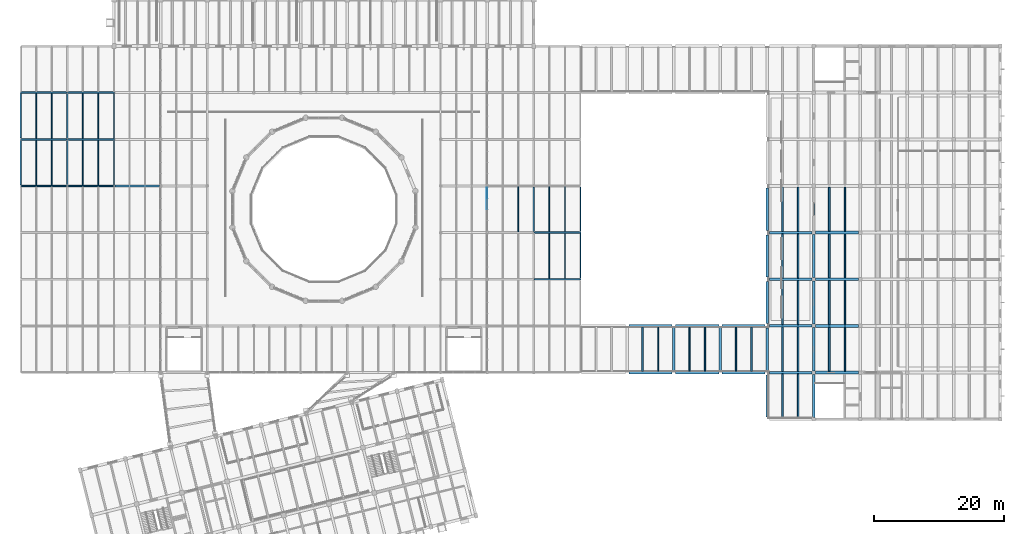
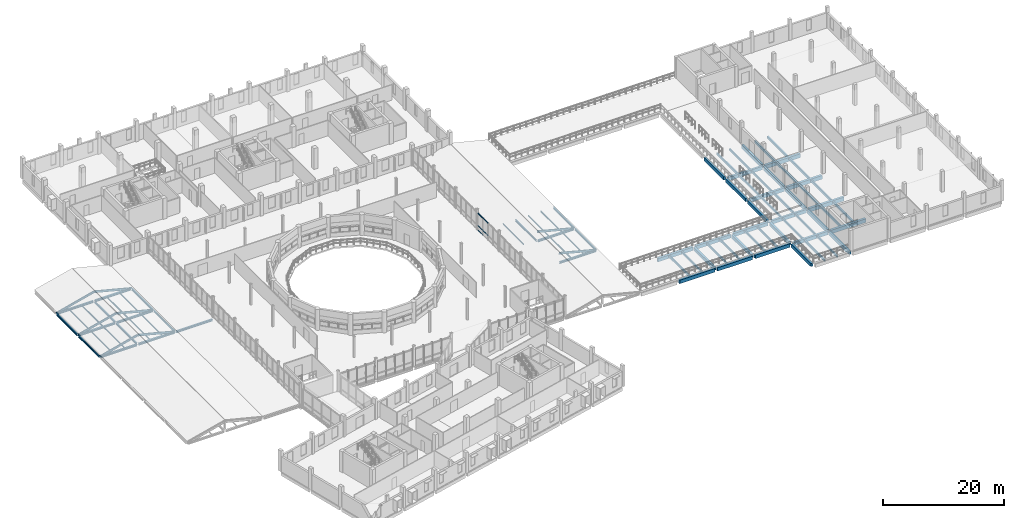
# One storey, part 27 of 63: 81 beams, 13 members, 1 element without a shape of its own.
"""IFC4 building model written with IfcOpenShell, lengths in metres."""

from ifc_helpers import new_model, si_unit, direction, frame, origin, origin_2d, place, context, subcontext, project, spatial, rectangle, i_section, extrude, material, material_profile, profile_set, type_object, element, aggregate, save


model = new_model("IFC4")

# Units and contexts
model_context = context("Model", 3, precision=1e-05, world=origin(), true_north=direction((0.0, 1.0)))
body_context = subcontext(model_context, "Body", "Model", "MODEL_VIEW")
ifc_project = project(units=[si_unit("LENGTHUNIT", "METRE"), si_unit("AREAUNIT", "SQUARE_METRE"), si_unit("VOLUMEUNIT", "CUBIC_METRE"), si_unit("PLANEANGLEUNIT", "RADIAN"), si_unit("MASSUNIT", "GRAM", prefix="KILO")], contexts=[model_context])

# Site, building, storey
site_placement = place(None, origin())
site = spatial("IfcSite", under=ifc_project, at=site_placement, CompositionType="ELEMENT")
building_placement = place(site_placement, origin())
building = spatial("IfcBuilding", under=site, at=building_placement, Name="Qiaolan Assembly House", CompositionType="ELEMENT")
storey_placement = place(building_placement, frame((0.0, 0.0, 14.39990234375)))
storey = spatial("IfcBuildingStorey", under=building, at=storey_placement, Name="L03", CompositionType="ELEMENT", Elevation=14.39990234375)

# Beams
ifc_material_1 = material(Name="Concrete C40/50", Category="concrete")
ifc_material_profile_1 = material_profile(ifc_material_1, rectangle(XDim=0.39990234375, YDim=0.64990234375, at=origin_2d()), Name="RCB 400x650")
ifc_profile_set_1 = profile_set([ifc_material_profile_1], Name="Concrete C40/50")
beam_type_1 = type_object("IfcBeamType", Name="BM-RC-400x650", PredefinedType="BEAM", material=ifc_profile_set_1)
for number, where, z_axis, x_axis, name in (
    (1, (136.800048828125, 29.139892578125, -0.635009765625), (0.0, 1.0, 0.0), (-1.0, 0.0, 0.0), "GB-06 beam BMY-LBRG-L03-00-00"),
    (2, (136.800048828125, 36.340087890625, -0.635009765625), (0.0, 1.0, 0.0), (-1.0, 0.0, 0.0), "GB-06 beam BMY-LBRG-L03-00-01"),
    (3, (136.800048828125, 43.5400390625, -0.635009765625), (0.0, 1.0, 0.0), (-1.0, 0.0, 0.0), "GB-06 beam BMY-LBRG-L03-00-02"),
    (4, (136.800048828125, 50.739990234375, -0.635009765625), (0.0, 1.0, 0.0), (-1.0, 0.0, 0.0), "GB-06 beam BMY-LBRG-L03-00-03"),
    (5, (136.800048828125, 57.93994140625, -0.635009765625), (0.0, 1.0, 0.0), (-1.0, 0.0, 0.0), "GB-06 beam BMY-LBRG-L03-00-04"),
):
    element("IfcBeam", number, at=place(storey_placement, frame(where, z_axis=z_axis, x_axis=x_axis)), inside=storey, type_object=beam_type_1, Name=name, PredefinedType="BEAM", context=body_context, shape_type="SweptSolid", body=[
        extrude(rectangle(XDim=0.39990234375, YDim=0.64990234375, at=origin_2d()), origin(), (0.0, 0.0, 1.0), 6.52001953125),
    ])
for number, where, z_axis, x_axis, name in (
    (6, (122.39990234375, 36.25, -0.635009765625), (0.0, 1.0, 0.0), (-1.0, 0.0, 0.0), "GB-06 beam BMY-CLSR-L03-02-00"),
    (7, (129.60009765625, 36.25, -0.635009765625), (0.0, 1.0, 0.0), (-1.0, 0.0, 0.0), "GB-06 beam BMY-CLSR-L03-03-00"),
):
    element("IfcBeam", number, at=place(storey_placement, frame(where, z_axis=z_axis, x_axis=x_axis)), inside=storey, type_object=beam_type_1, Name=name, PredefinedType="BEAM", context=body_context, shape_type="SweptSolid", body=[
        extrude(rectangle(XDim=0.39990234375, YDim=0.64990234375, at=origin_2d()), origin(), (0.0, 0.0, 1.0), 6.699951171875),
    ])
ifc_material_profile_2 = material_profile(ifc_material_1, rectangle(XDim=0.39990234375, YDim=0.699951171875, at=origin_2d()), Name="RCB 400x700")
ifc_profile_set_2 = profile_set([ifc_material_profile_2], Name="Concrete C40/50")
beam_type_2 = type_object("IfcBeamType", Name="BM-RC-400x700", PredefinedType="BEAM", material=ifc_profile_set_2)
for number, where, z_axis, x_axis, name in (
    (8, (144.0, 29.06494140625, -0.659912109375), (0.0, 1.0, 0.0), (-1.0, 0.0, 0.0), "GB-05 beam BMY-LB-L03-00-00"),
    (9, (144.0, 36.264892578125, -0.659912109375), (0.0, 1.0, 0.0), (-1.0, 0.0, 0.0), "GB-05 beam BMY-LB-L03-00-01"),
):
    element("IfcBeam", number, at=place(storey_placement, frame(where, z_axis=z_axis, x_axis=x_axis)), inside=storey, type_object=beam_type_2, Name=name, PredefinedType="BEAM", context=body_context, shape_type="SweptSolid", body=[
        extrude(rectangle(XDim=0.39990234375, YDim=0.699951171875, at=origin_2d()), origin(), (0.0, 0.0, 1.0), 6.670166015625),
    ])
for number, where, z_axis, x_axis, name in (
    (10, (144.0, 43.465087890625, -0.659912109375), (0.0, 1.0, 0.0), (-1.0, 0.0, 0.0), "GB-05 beam BMY-LB-L03-00-02"),
    (11, (144.0, 50.6650390625, -0.659912109375), (0.0, 1.0, 0.0), (-1.0, 0.0, 0.0), "GB-05 beam BMY-LB-L03-00-03"),
    (12, (144.0, 57.864990234375, -0.659912109375), (0.0, 1.0, 0.0), (-1.0, 0.0, 0.0), "GB-05 beam BMY-LB-L03-00-04"),
):
    element("IfcBeam", number, at=place(storey_placement, frame(where, z_axis=z_axis, x_axis=x_axis)), inside=storey, type_object=beam_type_2, Name=name, PredefinedType="BEAM", context=body_context, shape_type="SweptSolid", body=[
        extrude(rectangle(XDim=0.39990234375, YDim=0.699951171875, at=origin_2d()), origin(), (0.0, 0.0, 1.0), 6.669921875),
    ])
for number, where, z_axis, x_axis, name in (
    (13, (137.139892578125, 36.0, -0.659912109375), (1.0, 0.0, 0.0), (0.0, 1.0, 0.0), "GB-05 beam BMX-LBRG-L03-00-01"),
    (14, (137.139892578125, 43.199951171875, -0.659912109375), (1.0, 0.0, 0.0), (0.0, 1.0, 0.0), "GB-05 beam BMX-LBRG-L03-00-02"),
    (15, (137.139892578125, 50.39990234375, -0.659912109375), (1.0, 0.0, 0.0), (0.0, 1.0, 0.0), "GB-05 beam BMX-LBRG-L03-00-03"),
    (16, (137.139892578125, 57.60009765625, -0.659912109375), (1.0, 0.0, 0.0), (0.0, 1.0, 0.0), "GB-05 beam BMX-LBRG-L03-00-04"),
):
    element("IfcBeam", number, at=place(storey_placement, frame(where, z_axis=z_axis, x_axis=x_axis)), inside=storey, type_object=beam_type_2, Name=name, PredefinedType="BEAM", context=body_context, shape_type="SweptSolid", body=[
        extrude(rectangle(XDim=0.39990234375, YDim=0.699951171875, at=origin_2d()), origin(), (0.0, 0.0, 1.0), 6.59521484375),
    ])
beam_1_placement = place(storey_placement, frame((115.449951171875, 36.0, -0.659912109375), z_axis=(1.0, 0.0, 0.0), x_axis=(0.0, 1.0, 0.0)))
element("IfcBeam", 17, at=beam_1_placement, inside=storey, type_object=beam_type_2, Name="GB-05 beam BMX-CLSR-L03-01-00", PredefinedType="BEAM", context=body_context, shape_type="SweptSolid", body=[
    extrude(rectangle(XDim=0.39990234375, YDim=0.699951171875, at=origin_2d()), origin(), (0.0, 0.0, 1.0), 6.699951171875),
])
beam_2_placement = place(storey_placement, frame((122.64990234375, 36.0, -0.659912109375), z_axis=(1.0, 0.0, 0.0), x_axis=(0.0, 1.0, 0.0)))
element("IfcBeam", 18, at=beam_2_placement, inside=storey, type_object=beam_type_2, Name="GB-05 beam BMX-CLSR-L03-02-00", PredefinedType="BEAM", context=body_context, shape_type="SweptSolid", body=[
    extrude(rectangle(XDim=0.39990234375, YDim=0.699951171875, at=origin_2d()), origin(), (0.0, 0.0, 1.0), 6.7001953125),
])
beam_3_placement = place(storey_placement, frame((129.85009765625, 36.0, -0.659912109375), z_axis=(1.0, 0.0, 0.0), x_axis=(0.0, 1.0, 0.0)))
element("IfcBeam", 19, at=beam_3_placement, inside=storey, type_object=beam_type_2, Name="GB-05 beam BMX-CLSR-L03-03-00", PredefinedType="BEAM", context=body_context, shape_type="SweptSolid", body=[
    extrude(rectangle(XDim=0.39990234375, YDim=0.699951171875, at=origin_2d()), origin(), (0.0, 0.0, 1.0), 6.60986328125),
])
beam_4_placement = place(storey_placement, frame((115.449951171875, 43.199951171875, -0.659912109375), z_axis=(1.0, 0.0, 0.0), x_axis=(0.0, 1.0, 0.0)))
element("IfcBeam", 20, at=beam_4_placement, inside=storey, type_object=beam_type_2, Name="GB-05 beam BMX-CLSR-L03-01-01", PredefinedType="BEAM", context=body_context, shape_type="SweptSolid", body=[
    extrude(rectangle(XDim=0.39990234375, YDim=0.699951171875, at=origin_2d()), origin(), (0.0, 0.0, 1.0), 6.699951171875),
])
beam_5_placement = place(storey_placement, frame((122.64990234375, 43.199951171875, -0.659912109375), z_axis=(1.0, 0.0, 0.0), x_axis=(0.0, 1.0, 0.0)))
element("IfcBeam", 21, at=beam_5_placement, inside=storey, type_object=beam_type_2, Name="GB-05 beam BMX-CLSR-L03-02-01", PredefinedType="BEAM", context=body_context, shape_type="SweptSolid", body=[
    extrude(rectangle(XDim=0.39990234375, YDim=0.699951171875, at=origin_2d()), origin(), (0.0, 0.0, 1.0), 6.7001953125),
])
beam_6_placement = place(storey_placement, frame((129.85009765625, 43.199951171875, -0.659912109375), z_axis=(1.0, 0.0, 0.0), x_axis=(0.0, 1.0, 0.0)))
element("IfcBeam", 22, at=beam_6_placement, inside=storey, type_object=beam_type_2, Name="GB-05 beam BMX-CLSR-L03-03-01", PredefinedType="BEAM", context=body_context, shape_type="SweptSolid", body=[
    extrude(rectangle(XDim=0.39990234375, YDim=0.699951171875, at=origin_2d()), origin(), (0.0, 0.0, 1.0), 6.60986328125),
])
ifc_material_profile_3 = material_profile(ifc_material_1, rectangle(XDim=0.449951171875, YDim=0.75, at=origin_2d()), Name="RCB 450x750")
ifc_profile_set_3 = profile_set([ifc_material_profile_3], Name="Concrete C40/50")
beam_type_3 = type_object("IfcBeamType", Name="BM-RC-450x750", PredefinedType="BEAM", material=ifc_profile_set_3)
for number, where, z_axis, x_axis, name in (
    (23, (144.264892578125, 36.0, -0.684814453125), (1.0, 0.0, 0.0), (0.0, 1.0, 0.0), "GB-04 beam BMX-LB-L03-00-01"),
    (24, (144.264892578125, 43.199951171875, -0.684814453125), (1.0, 0.0, 0.0), (0.0, 1.0, 0.0), "GB-04 beam BMX-LB-L03-00-02"),
    (25, (144.264892578125, 50.39990234375, -0.684814453125), (1.0, 0.0, 0.0), (0.0, 1.0, 0.0), "GB-04 beam BMX-LB-L03-00-03"),
    (26, (144.264892578125, 57.60009765625, -0.684814453125), (1.0, 0.0, 0.0), (0.0, 1.0, 0.0), "GB-04 beam BMX-LB-L03-00-04"),
):
    element("IfcBeam", number, at=place(storey_placement, frame(where, z_axis=z_axis, x_axis=x_axis)), inside=storey, type_object=beam_type_3, Name=name, PredefinedType="BEAM", context=body_context, shape_type="SweptSolid", body=[
        extrude(rectangle(XDim=0.449951171875, YDim=0.75, at=origin_2d()), origin(), (0.0, 0.0, 1.0), 6.670166015625),
    ])
ifc_material_2 = material(Name="Steel Q355B", Category="steel")
ifc_material_profile_4 = material_profile(ifc_material_2, i_section(OverallWidth=0.300048828125, OverallDepth=0.389892578125, WebThickness=0.010009765625, FlangeThickness=0.01611328125, FilletRadius=0.01806640625, at=origin_2d()), Name="HM 390x300x10x16")
ifc_profile_set_4 = profile_set([ifc_material_profile_4], Name="Steel Q355B")
beam_type_4 = type_object("IfcBeamType", Name="BM-STL-HM390", PredefinedType="BEAM", material=ifc_profile_set_4)
beam_7_placement = place(storey_placement, frame((21.764892578125, 64.800048828125, -0.494873046875), z_axis=(1.0, 0.0, 0.0), x_axis=(0.0, 1.0, 0.0)))
element("IfcBeam", 27, at=beam_7_placement, inside=storey, type_object=beam_type_4, Name="SB-08 beam BMX-HLWTR-L03-00-04", PredefinedType="BEAM", context=body_context, shape_type="SweptSolid", body=[
    extrude(i_section(OverallWidth=0.300048828125, OverallDepth=0.389892578125, WebThickness=0.010009765625, FlangeThickness=0.01611328125, FilletRadius=0.01806640625, at=origin_2d()), origin(), (0.0, 0.0, 1.0), 6.89501953125),
])
for number, where, z_axis, x_axis, name in (
    (28, (28.93994140625, 64.800048828125, -0.494873046875), (1.0, 0.0, 0.0), (0.0, 1.0, 0.0), "SB-08 beam BMX-HLWTR-L03-01-04"),
    (29, (36.139892578125, 64.800048828125, -0.494873046875), (1.0, 0.0, 0.0), (0.0, 1.0, 0.0), "SB-08 beam BMX-HLWTR-L03-02-04"),
):
    element("IfcBeam", number, at=place(storey_placement, frame(where, z_axis=z_axis, x_axis=x_axis)), inside=storey, type_object=beam_type_4, Name=name, PredefinedType="BEAM", context=body_context, shape_type="SweptSolid", body=[
        extrude(i_section(OverallWidth=0.300048828125, OverallDepth=0.389892578125, WebThickness=0.010009765625, FlangeThickness=0.01611328125, FilletRadius=0.01806640625, at=origin_2d()), origin(), (0.0, 0.0, 1.0), 6.920166015625),
    ])
beam_8_placement = place(storey_placement, frame((21.764892578125, 72.0, -0.494873046875), z_axis=(1.0, 0.0, 0.0), x_axis=(0.0, 1.0, 0.0)))
element("IfcBeam", 30, at=beam_8_placement, inside=storey, type_object=beam_type_4, Name="SB-08 beam BMX-HLWTR-L03-00-05", PredefinedType="BEAM", context=body_context, shape_type="SweptSolid", body=[
    extrude(i_section(OverallWidth=0.300048828125, OverallDepth=0.389892578125, WebThickness=0.010009765625, FlangeThickness=0.01611328125, FilletRadius=0.01806640625, at=origin_2d()), origin(), (0.0, 0.0, 1.0), 6.89501953125),
])
beam_9_placement = place(storey_placement, frame((28.93994140625, 72.0, -0.494873046875), z_axis=(1.0, 0.0, 0.0), x_axis=(0.0, 1.0, 0.0)))
element("IfcBeam", 31, at=beam_9_placement, inside=storey, type_object=beam_type_4, Name="SB-08 beam BMX-HLWTR-L03-01-05", PredefinedType="BEAM", context=body_context, shape_type="SweptSolid", body=[
    extrude(i_section(OverallWidth=0.300048828125, OverallDepth=0.389892578125, WebThickness=0.010009765625, FlangeThickness=0.01611328125, FilletRadius=0.01806640625, at=origin_2d()), origin(), (0.0, 0.0, 1.0), 6.920166015625),
])
beam_10_placement = place(storey_placement, frame((21.764892578125, 79.199951171875, -0.494873046875), z_axis=(1.0, 0.0, 0.0), x_axis=(0.0, 1.0, 0.0)))
element("IfcBeam", 32, at=beam_10_placement, inside=storey, type_object=beam_type_4, Name="SB-08 beam BMX-HLWTR-L03-00-06", PredefinedType="BEAM", context=body_context, shape_type="SweptSolid", body=[
    extrude(i_section(OverallWidth=0.300048828125, OverallDepth=0.389892578125, WebThickness=0.010009765625, FlangeThickness=0.01611328125, FilletRadius=0.01806640625, at=origin_2d()), origin(), (0.0, 0.0, 1.0), 6.89501953125),
])
beam_11_placement = place(storey_placement, frame((28.93994140625, 79.199951171875, -0.494873046875), z_axis=(1.0, 0.0, 0.0), x_axis=(0.0, 1.0, 0.0)))
element("IfcBeam", 33, at=beam_11_placement, inside=storey, type_object=beam_type_4, Name="SB-08 beam BMX-HLWTR-L03-01-06", PredefinedType="BEAM", context=body_context, shape_type="SweptSolid", body=[
    extrude(i_section(OverallWidth=0.300048828125, OverallDepth=0.389892578125, WebThickness=0.010009765625, FlangeThickness=0.01611328125, FilletRadius=0.01806640625, at=origin_2d()), origin(), (0.0, 0.0, 1.0), 6.920166015625),
])
for number, where, z_axis, x_axis, name in (
    (34, (100.93994140625, 50.39990234375, -0.5048828125), (1.0, 0.0, 0.0), (0.0, 1.0, 0.0), "SB-08 beam BMX-HLETR-L03-01-02"),
    (35, (100.93994140625, 57.60009765625, -0.5048828125), (1.0, 0.0, 0.0), (0.0, 1.0, 0.0), "SB-08 beam BMX-HLETR-L03-01-03"),
):
    element("IfcBeam", number, at=place(storey_placement, frame(where, z_axis=z_axis, x_axis=x_axis)), inside=storey, type_object=beam_type_4, Name=name, PredefinedType="BEAM", context=body_context, shape_type="SweptSolid", body=[
        extrude(i_section(OverallWidth=0.300048828125, OverallDepth=0.389892578125, WebThickness=0.010009765625, FlangeThickness=0.01611328125, FilletRadius=0.01806640625, at=origin_2d()), origin(), (0.0, 0.0, 1.0), 6.89501953125),
    ])
ifc_material_profile_5 = material_profile(ifc_material_2, i_section(OverallWidth=0.199951171875, OverallDepth=0.39990234375, WebThickness=0.008056640625, FlangeThickness=0.012939453125, FilletRadius=0.01611328125, at=origin_2d()), Name="HN 400x200x8x13")
ifc_profile_set_5 = profile_set([ifc_material_profile_5], Name="Steel Q355B")
beam_type_5 = type_object("IfcBeamType", Name="BM-STL-HN400", PredefinedType="BEAM", material=ifc_profile_set_5)
for number, where, z_axis, x_axis, name in (
    (36, (21.60009765625, 64.965087890625, -0.5), (0.0, 1.0, 0.0), (-1.0, 0.0, 0.0), "SB-09 beam BMY-HLWTR-L03-00-04"),
    (37, (21.60009765625, 72.1650390625, -0.5), (0.0, 1.0, 0.0), (-1.0, 0.0, 0.0), "SB-09 beam BMY-HLWTR-L03-00-05"),
):
    element("IfcBeam", number, at=place(storey_placement, frame(where, z_axis=z_axis, x_axis=x_axis)), inside=storey, type_object=beam_type_5, Name=name, PredefinedType="BEAM", context=body_context, shape_type="SweptSolid", body=[
        extrude(i_section(OverallWidth=0.199951171875, OverallDepth=0.39990234375, WebThickness=0.008056640625, FlangeThickness=0.012939453125, FilletRadius=0.01611328125, at=origin_2d()), origin(), (0.0, 0.0, 1.0), 6.869873046875),
    ])
for number, where, z_axis, x_axis, name in (
    (38, (28.800048828125, 64.93994140625, -0.5), (0.0, 1.0, 0.0), (-1.0, 0.0, 0.0), "SB-09 beam BMY-HLWTR-L03-01-04"),
    (39, (28.800048828125, 72.139892578125, -0.5), (0.0, 1.0, 0.0), (-1.0, 0.0, 0.0), "SB-09 beam BMY-HLWTR-L03-01-05"),
    (40, (36.0, 64.93994140625, -0.5), (0.0, 1.0, 0.0), (-1.0, 0.0, 0.0), "SB-09 beam BMY-HLWTR-L03-02-04"),
    (41, (36.0, 72.139892578125, -0.5), (0.0, 1.0, 0.0), (-1.0, 0.0, 0.0), "SB-09 beam BMY-HLWTR-L03-02-05"),
):
    element("IfcBeam", number, at=place(storey_placement, frame(where, z_axis=z_axis, x_axis=x_axis)), inside=storey, type_object=beam_type_5, Name=name, PredefinedType="BEAM", context=body_context, shape_type="SweptSolid", body=[
        extrude(i_section(OverallWidth=0.199951171875, OverallDepth=0.39990234375, WebThickness=0.008056640625, FlangeThickness=0.012939453125, FilletRadius=0.01611328125, at=origin_2d()), origin(), (0.0, 0.0, 1.0), 6.920166015625),
    ])
beam_12_placement = place(storey_placement, frame((100.800048828125, 57.739990234375, -0.510009765625), z_axis=(0.0, 1.0, 0.0), x_axis=(-1.0, 0.0, 0.0)))
element("IfcBeam", 42, at=beam_12_placement, inside=storey, type_object=beam_type_5, Name="SB-09 beam BMY-HLETR-L03-01-03", PredefinedType="BEAM", context=body_context, shape_type="SweptSolid", body=[
    extrude(i_section(OverallWidth=0.199951171875, OverallDepth=0.39990234375, WebThickness=0.008056640625, FlangeThickness=0.012939453125, FilletRadius=0.01611328125, at=origin_2d()), origin(), (0.0, 0.0, 1.0), 6.919921875),
])
for number, where, z_axis, x_axis, name in (
    (43, (108.0, 50.56494140625, -0.510009765625), (0.0, 1.0, 0.0), (-1.0, 0.0, 0.0), "SB-09 beam BMY-HLETR-L03-02-02"),
    (44, (108.0, 57.764892578125, -0.510009765625), (0.0, 1.0, 0.0), (-1.0, 0.0, 0.0), "SB-09 beam BMY-HLETR-L03-02-03"),
):
    element("IfcBeam", number, at=place(storey_placement, frame(where, z_axis=z_axis, x_axis=x_axis)), inside=storey, type_object=beam_type_5, Name=name, PredefinedType="BEAM", context=body_context, shape_type="SweptSolid", body=[
        extrude(i_section(OverallWidth=0.199951171875, OverallDepth=0.39990234375, WebThickness=0.008056640625, FlangeThickness=0.012939453125, FilletRadius=0.01611328125, at=origin_2d()), origin(), (0.0, 0.0, 1.0), 6.8701171875),
    ])

# Curtain wall, members
ifc_material_3 = material(Name="Anodised bronze aluminium", Category="aluminium")
curtain_wall_type = type_object("IfcCurtainWallType", Name="CW-HALL-CONC-420", PredefinedType="NOTDEFINED", material=ifc_material_3)
curtain_wall_placement = place(storey_placement, origin())
curtain_wall = element("IfcCurtainWall", 45, at=curtain_wall_placement, inside=storey, type_object=curtain_wall_type, Name="CW-07 L03 Concourse East CW 4", PredefinedType="NOTDEFINED")
ifc_material_profile_6 = material_profile(ifc_material_3, rectangle(XDim=0.072021484375, YDim=0.14501953125, at=origin_2d()), Name="TRN 72x145")
ifc_profile_set_6 = profile_set([ifc_material_profile_6], Name="Anodised bronze aluminium")
member_type_1 = type_object("IfcMemberType", Name="CW-HALL-CONC-420-TRN", PredefinedType="USERDEFINED", material=ifc_profile_set_6)
member_1_placement = place(storey_placement, frame((93.60009765625, 64.549072265625, 0.030029296875), z_axis=(0.0, -1.0, 0.0), x_axis=(1.0, 0.0, 0.0)))
member_1 = element("IfcMember", 46, at=member_1_placement, type_object=member_type_1, Name="TR-03 transom CW-HLC-E-03-1-1", ObjectType="TRANSOM", PredefinedType="USERDEFINED", context=body_context, shape_type="SweptSolid", body=[
    extrude(rectangle(XDim=0.072021484375, YDim=0.14501953125, at=origin_2d()), origin(), (0.0, 0.0, 1.0), 1.613037109375),
])
member_2_placement = place(storey_placement, frame((93.60009765625, 64.549072265625, 0.9501953125), z_axis=(0.0, -1.0, 0.0), x_axis=(1.0, 0.0, 0.0)))
member_2 = element("IfcMember", 47, at=member_2_placement, type_object=member_type_1, Name="TR-03 transom CW-HLC-E-03-1-2", ObjectType="TRANSOM", PredefinedType="USERDEFINED", context=body_context, shape_type="SweptSolid", body=[
    extrude(rectangle(XDim=0.072021484375, YDim=0.14501953125, at=origin_2d()), origin(), (0.0, 0.0, 1.0), 1.613037109375),
])
member_3_placement = place(storey_placement, frame((93.60009765625, 64.549072265625, 3.420166015625), z_axis=(0.0, -1.0, 0.0), x_axis=(1.0, 0.0, 0.0)))
member_3 = element("IfcMember", 48, at=member_3_placement, type_object=member_type_1, Name="TR-03 transom CW-HLC-E-03-1-3", ObjectType="TRANSOM", PredefinedType="USERDEFINED", context=body_context, shape_type="SweptSolid", body=[
    extrude(rectangle(XDim=0.072021484375, YDim=0.14501953125, at=origin_2d()), origin(), (0.0, 0.0, 1.0), 1.613037109375),
])
member_4_placement = place(storey_placement, frame((93.60009765625, 62.85400390625, 0.9501953125), z_axis=(0.0, -1.0, 0.0), x_axis=(1.0, 0.0, 0.0)))
member_4 = element("IfcMember", 49, at=member_4_placement, type_object=member_type_1, Name="TR-03 transom CW-HLC-E-03-2-2", ObjectType="TRANSOM", PredefinedType="USERDEFINED", context=body_context, shape_type="SweptSolid", body=[
    extrude(rectangle(XDim=0.072021484375, YDim=0.14501953125, at=origin_2d()), origin(), (0.0, 0.0, 1.0), 1.613037109375),
])
member_5_placement = place(storey_placement, frame((93.60009765625, 62.85400390625, 3.420166015625), z_axis=(0.0, -1.0, 0.0), x_axis=(1.0, 0.0, 0.0)))
member_5 = element("IfcMember", 50, at=member_5_placement, type_object=member_type_1, Name="TR-03 transom CW-HLC-E-03-2-3", ObjectType="TRANSOM", PredefinedType="USERDEFINED", context=body_context, shape_type="SweptSolid", body=[
    extrude(rectangle(XDim=0.072021484375, YDim=0.14501953125, at=origin_2d()), origin(), (0.0, 0.0, 1.0), 1.613037109375),
])
aggregate(curtain_wall, [member_1, member_2, member_3, member_4, member_5])

# Beams
ifc_material_profile_7 = material_profile(ifc_material_1, rectangle(XDim=0.219970703125, YDim=0.419921875, at=origin_2d()), Name="RCB 220x420")
ifc_profile_set_7 = profile_set([ifc_material_profile_7], Name="Concrete C40/50")
beam_type_6 = type_object("IfcBeamType", Name="JST-RC-220x420", PredefinedType="JOIST", material=ifc_profile_set_7)
for number, where, z_axis, x_axis, name in (
    (51, (139.199951171875, 28.993896484375, -0.52001953125), (0.0, 1.0, 0.0), (-1.0, 0.0, 0.0), "RJ-03 beam JST-LBRG-L03-00-00-1"),
    (52, (141.60009765625, 28.993896484375, -0.52001953125), (0.0, 1.0, 0.0), (-1.0, 0.0, 0.0), "RJ-03 beam JST-LBRG-L03-00-00-2"),
    (53, (139.199951171875, 36.194091796875, -0.52001953125), (0.0, 1.0, 0.0), (-1.0, 0.0, 0.0), "RJ-03 beam JST-LBRG-L03-00-01-1"),
    (54, (141.60009765625, 36.194091796875, -0.52001953125), (0.0, 1.0, 0.0), (-1.0, 0.0, 0.0), "RJ-03 beam JST-LBRG-L03-00-01-2"),
    (55, (139.199951171875, 43.39404296875, -0.52001953125), (0.0, 1.0, 0.0), (-1.0, 0.0, 0.0), "RJ-03 beam JST-LBRG-L03-00-02-1"),
    (56, (141.60009765625, 43.39404296875, -0.52001953125), (0.0, 1.0, 0.0), (-1.0, 0.0, 0.0), "RJ-03 beam JST-LBRG-L03-00-02-2"),
    (57, (139.199951171875, 50.593994140625, -0.52001953125), (0.0, 1.0, 0.0), (-1.0, 0.0, 0.0), "RJ-03 beam JST-LBRG-L03-00-03-1"),
    (58, (141.60009765625, 50.593994140625, -0.52001953125), (0.0, 1.0, 0.0), (-1.0, 0.0, 0.0), "RJ-03 beam JST-LBRG-L03-00-03-2"),
    (59, (139.199951171875, 57.7939453125, -0.52001953125), (0.0, 1.0, 0.0), (-1.0, 0.0, 0.0), "RJ-03 beam JST-LBRG-L03-00-04-1"),
    (60, (141.60009765625, 57.7939453125, -0.52001953125), (0.0, 1.0, 0.0), (-1.0, 0.0, 0.0), "RJ-03 beam JST-LBRG-L03-00-04-2"),
    (61, (117.60009765625, 36.194091796875, -0.52001953125), (0.0, 1.0, 0.0), (-1.0, 0.0, 0.0), "RJ-03 beam JST-CLSR-L03-01-00-1"),
    (62, (120.0, 36.194091796875, -0.52001953125), (0.0, 1.0, 0.0), (-1.0, 0.0, 0.0), "RJ-03 beam JST-CLSR-L03-01-00-2"),
    (63, (124.800048828125, 36.194091796875, -0.52001953125), (0.0, 1.0, 0.0), (-1.0, 0.0, 0.0), "RJ-03 beam JST-CLSR-L03-02-00-1"),
    (64, (127.199951171875, 36.194091796875, -0.52001953125), (0.0, 1.0, 0.0), (-1.0, 0.0, 0.0), "RJ-03 beam JST-CLSR-L03-02-00-2"),
    (65, (132.0, 36.194091796875, -0.52001953125), (0.0, 1.0, 0.0), (-1.0, 0.0, 0.0), "RJ-03 beam JST-CLSR-L03-03-00-1"),
    (66, (134.39990234375, 36.194091796875, -0.52001953125), (0.0, 1.0, 0.0), (-1.0, 0.0, 0.0), "RJ-03 beam JST-CLSR-L03-03-00-2"),
):
    element("IfcBeam", number, at=place(storey_placement, frame(where, z_axis=z_axis, x_axis=x_axis)), inside=storey, type_object=beam_type_6, Name=name, PredefinedType="JOIST", context=body_context, shape_type="SweptSolid", body=[
        extrude(rectangle(XDim=0.219970703125, YDim=0.419921875, at=origin_2d()), origin(), (0.0, 0.0, 1.0), 6.81201171875),
    ])
ifc_material_profile_8 = material_profile(ifc_material_1, rectangle(XDim=0.25, YDim=0.449951171875, at=origin_2d()), Name="RCB 250x450")
ifc_profile_set_8 = profile_set([ifc_material_profile_8], Name="Concrete C40/50")
beam_type_7 = type_object("IfcBeamType", Name="JST-RC-250x450", PredefinedType="JOIST", material=ifc_profile_set_8)
for number, where, z_axis, x_axis, name in (
    (67, (146.39990234375, 36.218994140625, -0.534912109375), (0.0, 1.0, 0.0), (-1.0, 0.0, 0.0), "RJ-02 beam JST-LB-L03-00-01-1"),
    (68, (148.800048828125, 36.218994140625, -0.534912109375), (0.0, 1.0, 0.0), (-1.0, 0.0, 0.0), "RJ-02 beam JST-LB-L03-00-01-2"),
    (69, (146.39990234375, 43.4189453125, -0.534912109375), (0.0, 1.0, 0.0), (-1.0, 0.0, 0.0), "RJ-02 beam JST-LB-L03-00-02-1"),
    (70, (148.800048828125, 43.4189453125, -0.534912109375), (0.0, 1.0, 0.0), (-1.0, 0.0, 0.0), "RJ-02 beam JST-LB-L03-00-02-2"),
):
    element("IfcBeam", number, at=place(storey_placement, frame(where, z_axis=z_axis, x_axis=x_axis)), inside=storey, type_object=beam_type_7, Name=name, PredefinedType="JOIST", context=body_context, shape_type="SweptSolid", body=[
        extrude(rectangle(XDim=0.25, YDim=0.449951171875, at=origin_2d()), origin(), (0.0, 0.0, 1.0), 6.761962890625),
    ])
for number, where, z_axis, x_axis, name in (
    (71, (146.39990234375, 50.618896484375, -0.534912109375), (0.0, 1.0, 0.0), (-1.0, 0.0, 0.0), "RJ-02 beam JST-LB-L03-00-03-1"),
    (72, (148.800048828125, 50.618896484375, -0.534912109375), (0.0, 1.0, 0.0), (-1.0, 0.0, 0.0), "RJ-02 beam JST-LB-L03-00-03-2"),
):
    element("IfcBeam", number, at=place(storey_placement, frame(where, z_axis=z_axis, x_axis=x_axis)), inside=storey, type_object=beam_type_7, Name=name, PredefinedType="JOIST", context=body_context, shape_type="SweptSolid", body=[
        extrude(rectangle(XDim=0.25, YDim=0.449951171875, at=origin_2d()), origin(), (0.0, 0.0, 1.0), 6.76220703125),
    ])
for number, where, z_axis, x_axis, name in (
    (73, (146.39990234375, 57.819091796875, -0.534912109375), (0.0, 1.0, 0.0), (-1.0, 0.0, 0.0), "RJ-02 beam JST-LB-L03-00-04-1"),
    (74, (148.800048828125, 57.819091796875, -0.534912109375), (0.0, 1.0, 0.0), (-1.0, 0.0, 0.0), "RJ-02 beam JST-LB-L03-00-04-2"),
):
    element("IfcBeam", number, at=place(storey_placement, frame(where, z_axis=z_axis, x_axis=x_axis)), inside=storey, type_object=beam_type_7, Name=name, PredefinedType="JOIST", context=body_context, shape_type="SweptSolid", body=[
        extrude(rectangle(XDim=0.25, YDim=0.449951171875, at=origin_2d()), origin(), (0.0, 0.0, 1.0), 6.761962890625),
    ])
ifc_material_profile_9 = material_profile(ifc_material_2, i_section(OverallWidth=0.125, OverallDepth=0.25, WebThickness=0.006103515625, FlangeThickness=0.009033203125, FilletRadius=0.011962890625, at=origin_2d()), Name="HN 250x125x6x9")
ifc_profile_set_9 = profile_set([ifc_material_profile_9], Name="Steel Q355B")
beam_type_8 = type_object("IfcBeamType", Name="JST-STL-HN250", PredefinedType="JOIST", material=ifc_profile_set_9)
for number, where, z_axis, x_axis, name in (
    (75, (24.0, 64.944091796875, -0.4248046875), (0.0, 1.0, 0.0), (-1.0, 0.0, 0.0), "SJ-03 beam JST-HLWTR-L03-00-04-1"),
    (76, (26.39990234375, 64.944091796875, -0.4248046875), (0.0, 1.0, 0.0), (-1.0, 0.0, 0.0), "SJ-03 beam JST-HLWTR-L03-00-04-2"),
    (77, (24.0, 72.14404296875, -0.4248046875), (0.0, 1.0, 0.0), (-1.0, 0.0, 0.0), "SJ-03 beam JST-HLWTR-L03-00-05-1"),
    (78, (26.39990234375, 72.14404296875, -0.4248046875), (0.0, 1.0, 0.0), (-1.0, 0.0, 0.0), "SJ-03 beam JST-HLWTR-L03-00-05-2"),
    (79, (31.199951171875, 64.944091796875, -0.4248046875), (0.0, 1.0, 0.0), (-1.0, 0.0, 0.0), "SJ-03 beam JST-HLWTR-L03-01-04-1"),
    (80, (33.60009765625, 64.944091796875, -0.4248046875), (0.0, 1.0, 0.0), (-1.0, 0.0, 0.0), "SJ-03 beam JST-HLWTR-L03-01-04-2"),
    (81, (31.199951171875, 72.14404296875, -0.4248046875), (0.0, 1.0, 0.0), (-1.0, 0.0, 0.0), "SJ-03 beam JST-HLWTR-L03-01-05-1"),
    (82, (33.60009765625, 72.14404296875, -0.4248046875), (0.0, 1.0, 0.0), (-1.0, 0.0, 0.0), "SJ-03 beam JST-HLWTR-L03-01-05-2"),
):
    element("IfcBeam", number, at=place(storey_placement, frame(where, z_axis=z_axis, x_axis=x_axis)), inside=storey, type_object=beam_type_8, Name=name, PredefinedType="JOIST", context=body_context, shape_type="SweptSolid", body=[
        extrude(i_section(OverallWidth=0.125, OverallDepth=0.25, WebThickness=0.006103515625, FlangeThickness=0.009033203125, FilletRadius=0.011962890625, at=origin_2d()), origin(), (0.0, 0.0, 1.0), 6.911865234375),
    ])
for number, where, z_axis, x_axis, name in (
    (83, (98.39990234375, 57.743896484375, -0.434814453125), (0.0, 1.0, 0.0), (-1.0, 0.0, 0.0), "SJ-03 beam JST-HLETR-L03-00-03-2"),
    (84, (103.199951171875, 50.5439453125, -0.434814453125), (0.0, 1.0, 0.0), (-1.0, 0.0, 0.0), "SJ-03 beam JST-HLETR-L03-01-02-1"),
    (85, (105.60009765625, 50.5439453125, -0.434814453125), (0.0, 1.0, 0.0), (-1.0, 0.0, 0.0), "SJ-03 beam JST-HLETR-L03-01-02-2"),
    (86, (103.199951171875, 57.743896484375, -0.434814453125), (0.0, 1.0, 0.0), (-1.0, 0.0, 0.0), "SJ-03 beam JST-HLETR-L03-01-03-1"),
    (87, (105.60009765625, 57.743896484375, -0.434814453125), (0.0, 1.0, 0.0), (-1.0, 0.0, 0.0), "SJ-03 beam JST-HLETR-L03-01-03-2"),
):
    element("IfcBeam", number, at=place(storey_placement, frame(where, z_axis=z_axis, x_axis=x_axis)), inside=storey, type_object=beam_type_8, Name=name, PredefinedType="JOIST", context=body_context, shape_type="SweptSolid", body=[
        extrude(i_section(OverallWidth=0.125, OverallDepth=0.25, WebThickness=0.006103515625, FlangeThickness=0.009033203125, FilletRadius=0.011962890625, at=origin_2d()), origin(), (0.0, 0.0, 1.0), 6.912109375),
    ])

# Members
ifc_material_profile_10 = material_profile(ifc_material_2, i_section(OverallWidth=0.199951171875, OverallDepth=0.39990234375, WebThickness=0.008056640625, FlangeThickness=0.012939453125, FilletRadius=0.01611328125, at=origin_2d()), Name="HN 400x200x8x13-RF")
ifc_profile_set_10 = profile_set([ifc_material_profile_10], Name="Steel Q355B")
member_type_2 = type_object("IfcMemberType", Name="MBR-HALL-RAFTER-HN400", PredefinedType="RAFTER", material=ifc_profile_set_10)
for number, where, z_axis, x_axis, name in (
    (88, (21.60009765625, 64.800048828125, -0.4296875), (0.968693848933, 0.0, 0.248258387652), (0.0, 1.0, 0.0), "RF-02 hall skylight rafter WW-64"),
    (89, (28.800048828125, 64.800048828125, 1.41552734375), (0.968693848933, 0.0, -0.248258387652), (0.0, 1.0, 0.0), "RF-02 hall skylight rafter WE-64"),
    (90, (21.60009765625, 72.0, -0.4296875), (0.968693848933, 0.0, 0.248258387652), (0.0, 1.0, 0.0), "RF-02 hall skylight rafter WW-72"),
    (91, (28.800048828125, 72.0, 1.41552734375), (0.968693848933, 0.0, -0.248258387652), (0.0, 1.0, 0.0), "RF-02 hall skylight rafter WE-72"),
    (92, (21.60009765625, 79.199951171875, -0.4296875), (0.968693848933, 0.0, 0.248258387652), (0.0, 1.0, 0.0), "RF-02 hall skylight rafter WW-79"),
    (93, (28.800048828125, 79.199951171875, 1.41552734375), (0.968693848933, 0.0, -0.248258387652), (0.0, 1.0, 0.0), "RF-02 hall skylight rafter WE-79"),
    (94, (100.800048828125, 50.39990234375, 1.41552734375), (0.968693848933, 0.0, -0.248258387652), (0.0, 1.0, 0.0), "RF-02 hall skylight rafter EE-50"),
    (95, (100.800048828125, 57.60009765625, 1.41552734375), (0.968693848933, 0.0, -0.248258387652), (0.0, 1.0, 0.0), "RF-02 hall skylight rafter EE-57"),
):
    element("IfcMember", number, at=place(storey_placement, frame(where, z_axis=z_axis, x_axis=x_axis)), inside=storey, type_object=member_type_2, Name=name, PredefinedType="RAFTER", context=body_context, shape_type="SweptSolid", body=[
        extrude(i_section(OverallWidth=0.199951171875, OverallDepth=0.39990234375, WebThickness=0.008056640625, FlangeThickness=0.012939453125, FilletRadius=0.01611328125, at=origin_2d()), origin(), (0.0, 0.0, 1.0), 7.4326171875),
    ])

save(model, "model.ifc")
